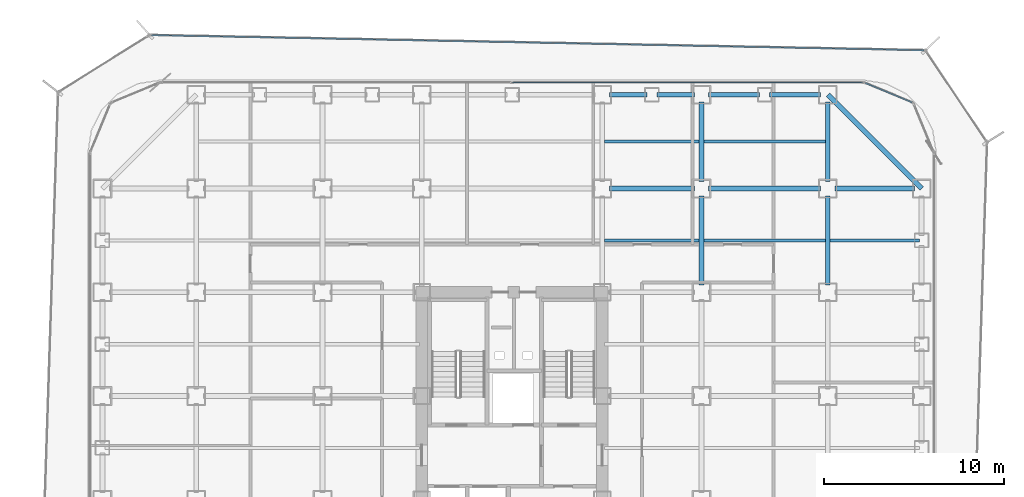
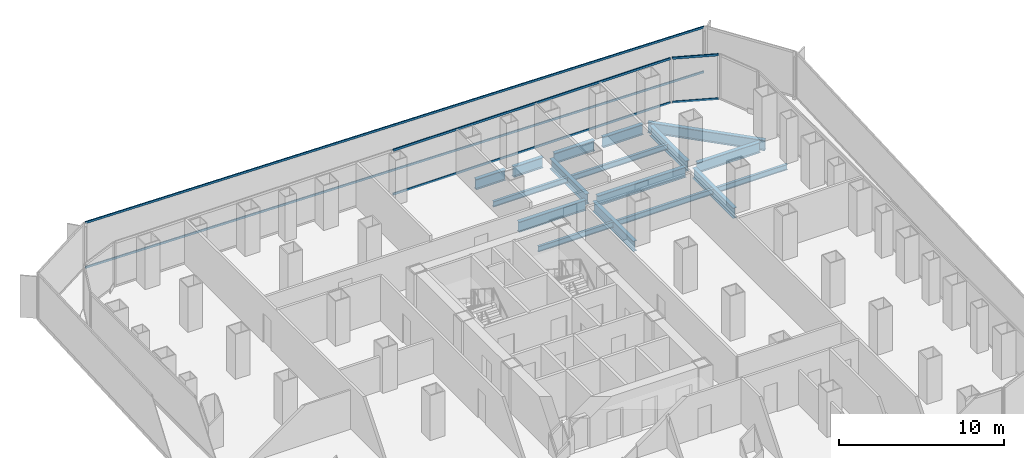
# One storey, part 14 of 22: 17 beams, 6 members, 3 elements without a shape of their own.
"""IFC4 building model written with IfcOpenShell, lengths in metres."""

from ifc_helpers import new_model, si_unit, direction, frame, origin, origin_2d, place, context, subcontext, project, spatial, hollow_rectangle, i_section, extrude, source, transform, mapped, material, layer, layer_set, material_profile, profile_set, type_object, element, aggregate, save


model = new_model("IFC4")

# Units and contexts
model_context = context("Model", 3, precision=1e-05, world=origin(), true_north=direction((0.0, 1.0)))
body_context = subcontext(model_context, "Body", "Model", "MODEL_VIEW")
ifc_project = project(units=[si_unit("LENGTHUNIT", "METRE"), si_unit("AREAUNIT", "SQUARE_METRE"), si_unit("VOLUMEUNIT", "CUBIC_METRE"), si_unit("PLANEANGLEUNIT", "RADIAN"), si_unit("MASSUNIT", "GRAM", prefix="KILO")], contexts=[model_context])

# Site, building, storey
site_placement = place(None, origin())
site = spatial("IfcSite", under=ifc_project, at=site_placement, CompositionType="ELEMENT")
building_placement = place(site_placement, origin())
building = spatial("IfcBuilding", under=site, at=building_placement, Name="Kolveth Station Tower", CompositionType="ELEMENT")
storey_placement = place(building_placement, frame((0.0, 0.0, 51.300048828125)))
storey = spatial("IfcBuildingStorey", under=building, at=storey_placement, Name="L13", CompositionType="ELEMENT", Elevation=51.300048828125)

# Beams
ifc_material_1 = material(Name="Steel S355", Category="steel")
ifc_material_profile_1 = material_profile(ifc_material_1, i_section(OverallWidth=0.26904296875, OverallDepth=0.77490234375, WebThickness=0.01708984375, FlangeThickness=0.0283203125, at=origin_2d()), Name="W760x220")
ifc_profile_set_1 = profile_set([ifc_material_profile_1], Name="Steel S355")
beam_type_1 = type_object("IfcBeamType", Name="Beam_SP1", PredefinedType="SPANDREL", material=ifc_profile_set_1)
shared_shape_1 = source(origin(), body_context, "Body", "SweptSolid", [
    extrude(i_section(OverallWidth=0.26904296875, OverallDepth=0.77490234375, WebThickness=0.01708984375, FlangeThickness=0.0283203125, at=origin_2d()), origin(), (0.0, 0.0, 1.0), 7.353759765625),
])
beam_1_placement = place(storey_placement, frame((46.199951171875, 34.5, -0.66748046875), z_axis=(-0.707106781187, 0.707106781187, 0.0), x_axis=(-0.707106781187, -0.707106781187, 0.0)))
element("IfcBeam", 1, at=beam_1_placement, inside=storey, type_object=beam_type_1, Name="L13 Corner Edge Girder BM-L13-CNR-NE", PredefinedType="SPANDREL", context=body_context, shape_type="MappedRepresentation", body=[
    mapped(shared_shape_1, transform((0.0, 0.0, 0.0), x_axis=(1.0, 0.0, 0.0), y_axis=(0.0, 1.0, 0.0), z_axis=(0.0, 0.0, 1.0), scale=1.0)),
])
shared_shape_2 = source(origin(), body_context, "Body", "SweptSolid", [
    extrude(i_section(OverallWidth=0.26904296875, OverallDepth=0.77490234375, WebThickness=0.01708984375, FlangeThickness=0.0283203125, at=origin_2d()), origin(), (0.0, 0.0, 1.0), 2.820068359375),
])
for number, where, z_axis, x_axis, name in (
    (2, (34.39990234375, 39.699951171875, -0.66748046875), (1.0, 0.0, 0.0), (0.0, 1.0, 0.0), "L13 Perimeter Spandrel BM-L13-PN-9"),
    (3, (37.780029296875, 39.699951171875, -0.66748046875), (1.0, 0.0, 0.0), (0.0, 1.0, 0.0), "L13 Perimeter Spandrel BM-L13-PN-10"),
):
    element("IfcBeam", number, at=place(storey_placement, frame(where, z_axis=z_axis, x_axis=x_axis)), inside=storey, type_object=beam_type_1, Name=name, PredefinedType="SPANDREL", context=body_context, shape_type="MappedRepresentation", body=[
        mapped(shared_shape_2, transform((0.0, 0.0, 0.0), x_axis=(1.0, 0.0, 0.0), y_axis=(0.0, 1.0, 0.0), z_axis=(0.0, 0.0, 1.0), scale=1.0)),
    ])
shared_shape_3 = source(origin(), body_context, "Body", "SweptSolid", [
    extrude(i_section(OverallWidth=0.26904296875, OverallDepth=0.77490234375, WebThickness=0.01708984375, FlangeThickness=0.0283203125, at=origin_2d()), origin(), (0.0, 0.0, 1.0), 2.070068359375),
])
for number, where, z_axis, x_axis, name in (
    (4, (28.89990234375, 39.699951171875, -0.66748046875), (1.0, 0.0, 0.0), (0.0, 1.0, 0.0), "L13 Perimeter Spandrel BM-L13-PN-7"),
    (5, (31.530029296875, 39.699951171875, -0.66748046875), (1.0, 0.0, 0.0), (0.0, 1.0, 0.0), "L13 Perimeter Spandrel BM-L13-PN-8"),
):
    element("IfcBeam", number, at=place(storey_placement, frame(where, z_axis=z_axis, x_axis=x_axis)), inside=storey, type_object=beam_type_1, Name=name, PredefinedType="SPANDREL", context=body_context, shape_type="MappedRepresentation", body=[
        mapped(shared_shape_3, transform((0.0, 0.0, 0.0), x_axis=(1.0, 0.0, 0.0), y_axis=(0.0, 1.0, 0.0), z_axis=(0.0, 0.0, 1.0), scale=1.0)),
    ])
ifc_material_profile_2 = material_profile(ifc_material_1, i_section(OverallWidth=0.26708984375, OverallDepth=0.76611328125, WebThickness=0.014892578125, FlangeThickness=0.023681640625, at=origin_2d()), Name="W760x185")
ifc_profile_set_2 = profile_set([ifc_material_profile_2], Name="Steel S355")
beam_type_2 = type_object("IfcBeamType", Name="Beam_B3", PredefinedType="BEAM", material=ifc_profile_set_2)
shared_shape_4 = source(origin(), body_context, "Body", "SweptSolid", [
    extrude(i_section(OverallWidth=0.26708984375, OverallDepth=0.76611328125, WebThickness=0.014892578125, FlangeThickness=0.023681640625, at=origin_2d()), origin(), (0.0, 0.0, 1.0), 4.400146484375),
])
for number, where, z_axis, x_axis, name in (
    (6, (41.39990234375, 34.5, -0.6630859375), (1.0, 0.0, 0.0), (0.0, 1.0, 0.0), "L13 Primary Girder BM-L13-GY345-7"),
    (7, (34.0, 34.89990234375, -0.6630859375), (0.0, 1.0, 0.0), (-1.0, 0.0, 0.0), "L13 Primary Girder BM-L13-GX340-7"),
    (8, (41.0, 34.89990234375, -0.6630859375), (0.0, 1.0, 0.0), (-1.0, 0.0, 0.0), "L13 Primary Girder BM-L13-GX410-7"),
):
    element("IfcBeam", number, at=place(storey_placement, frame(where, z_axis=z_axis, x_axis=x_axis)), inside=storey, type_object=beam_type_2, Name=name, PredefinedType="BEAM", context=body_context, shape_type="MappedRepresentation", body=[
        mapped(shared_shape_4, transform((0.0, 0.0, 0.0), x_axis=(1.0, 0.0, 0.0), y_axis=(0.0, 1.0, 0.0), z_axis=(0.0, 0.0, 1.0), scale=1.0)),
    ])
shared_shape_5 = source(origin(), body_context, "Body", "SweptSolid", [
    extrude(i_section(OverallWidth=0.26708984375, OverallDepth=0.76611328125, WebThickness=0.014892578125, FlangeThickness=0.023681640625, at=origin_2d()), origin(), (0.0, 0.0, 1.0), 6.2001953125),
])
beam_2_placement = place(storey_placement, frame((34.39990234375, 34.5, -0.6630859375), z_axis=(1.0, 0.0, 0.0), x_axis=(0.0, 1.0, 0.0)))
element("IfcBeam", 9, at=beam_2_placement, inside=storey, type_object=beam_type_2, Name="L13 Primary Girder BM-L13-GY345-6", PredefinedType="BEAM", context=body_context, shape_type="MappedRepresentation", body=[
    mapped(shared_shape_5, transform((0.0, 0.0, 0.0), x_axis=(1.0, 0.0, 0.0), y_axis=(0.0, 1.0, 0.0), z_axis=(0.0, 0.0, 1.0), scale=1.0)),
])
shared_shape_6 = source(origin(), body_context, "Body", "SweptSolid", [
    extrude(i_section(OverallWidth=0.26708984375, OverallDepth=0.76611328125, WebThickness=0.014892578125, FlangeThickness=0.023681640625, at=origin_2d()), origin(), (0.0, 0.0, 1.0), 4.7001953125),
])
beam_3_placement = place(storey_placement, frame((28.89990234375, 34.5, -0.6630859375), z_axis=(1.0, 0.0, 0.0), x_axis=(0.0, 1.0, 0.0)))
element("IfcBeam", 10, at=beam_3_placement, inside=storey, type_object=beam_type_2, Name="L13 Primary Girder BM-L13-GY345-5", PredefinedType="BEAM", context=body_context, shape_type="MappedRepresentation", body=[
    mapped(shared_shape_6, transform((0.0, 0.0, 0.0), x_axis=(1.0, 0.0, 0.0), y_axis=(0.0, 1.0, 0.0), z_axis=(0.0, 0.0, 1.0), scale=1.0)),
])
shared_shape_7 = source(origin(), body_context, "Body", "SweptSolid", [
    extrude(i_section(OverallWidth=0.26708984375, OverallDepth=0.76611328125, WebThickness=0.014892578125, FlangeThickness=0.023681640625, at=origin_2d()), origin(), (0.0, 0.0, 1.0), 4.9501953125),
])
for number, where, z_axis, x_axis, name in (
    (11, (34.0, 29.14990234375, -0.6630859375), (0.0, 1.0, 0.0), (-1.0, 0.0, 0.0), "L13 Primary Girder BM-L13-GX340-6"),
    (12, (41.0, 29.14990234375, -0.6630859375), (0.0, 1.0, 0.0), (-1.0, 0.0, 0.0), "L13 Primary Girder BM-L13-GX410-6"),
):
    element("IfcBeam", number, at=place(storey_placement, frame(where, z_axis=z_axis, x_axis=x_axis)), inside=storey, type_object=beam_type_2, Name=name, PredefinedType="BEAM", context=body_context, shape_type="MappedRepresentation", body=[
        mapped(shared_shape_7, transform((0.0, 0.0, 0.0), x_axis=(1.0, 0.0, 0.0), y_axis=(0.0, 1.0, 0.0), z_axis=(0.0, 0.0, 1.0), scale=1.0)),
    ])
ifc_material_profile_3 = material_profile(ifc_material_1, i_section(OverallWidth=0.177978515625, OverallDepth=0.406982421875, WebThickness=0.0078125, FlangeThickness=0.0126953125, at=origin_2d()), Name="W410x60")
ifc_profile_set_3 = profile_set([ifc_material_profile_3], Name="Steel S355")
beam_type_3 = type_object("IfcBeamType", Name="Beam_J1", PredefinedType="JOIST", material=ifc_profile_set_3)
shared_shape_8 = source(origin(), body_context, "Body", "SweptSolid", [
    extrude(i_section(OverallWidth=0.177978515625, OverallDepth=0.406982421875, WebThickness=0.0078125, FlangeThickness=0.0126953125, at=origin_2d()), origin(), (0.0, 0.0, 1.0), 4.935791015625),
])
beam_4_placement = place(storey_placement, frame((41.131591796875, 31.625, -0.483642578125), z_axis=(1.0, 0.0, 0.0), x_axis=(0.0, 1.0, 0.0)))
element("IfcBeam", 13, at=beam_4_placement, inside=storey, type_object=beam_type_3, Name="L13 Secondary Joist JST-L13-7-6", PredefinedType="JOIST", context=body_context, shape_type="MappedRepresentation", body=[
    mapped(shared_shape_8, transform((0.0, 0.0, 0.0), x_axis=(1.0, 0.0, 0.0), y_axis=(0.0, 1.0, 0.0), z_axis=(0.0, 0.0, 1.0), scale=1.0)),
])
shared_shape_9 = source(origin(), body_context, "Body", "SweptSolid", [
    extrude(i_section(OverallWidth=0.177978515625, OverallDepth=0.406982421875, WebThickness=0.0078125, FlangeThickness=0.0126953125, at=origin_2d()), origin(), (0.0, 0.0, 1.0), 6.73681640625),
])
for number, where, z_axis, x_axis, name in (
    (14, (34.131591796875, 31.625, -0.483642578125), (1.0, 0.0, 0.0), (0.0, 1.0, 0.0), "L13 Secondary Joist JST-L13-6-6"),
    (15, (34.131591796875, 37.10009765625, -0.483642578125), (1.0, 0.0, 0.0), (0.0, 1.0, 0.0), "L13 Secondary Joist JST-L13-6-7"),
):
    element("IfcBeam", number, at=place(storey_placement, frame(where, z_axis=z_axis, x_axis=x_axis)), inside=storey, type_object=beam_type_3, Name=name, PredefinedType="JOIST", context=body_context, shape_type="MappedRepresentation", body=[
        mapped(shared_shape_9, transform((0.0, 0.0, 0.0), x_axis=(1.0, 0.0, 0.0), y_axis=(0.0, 1.0, 0.0), z_axis=(0.0, 0.0, 1.0), scale=1.0)),
    ])
shared_shape_10 = source(origin(), body_context, "Body", "SweptSolid", [
    extrude(i_section(OverallWidth=0.177978515625, OverallDepth=0.406982421875, WebThickness=0.0078125, FlangeThickness=0.0126953125, at=origin_2d()), origin(), (0.0, 0.0, 1.0), 5.23681640625),
])
for number, where, z_axis, x_axis, name in (
    (16, (28.631591796875, 31.625, -0.483642578125), (1.0, 0.0, 0.0), (0.0, 1.0, 0.0), "L13 Secondary Joist JST-L13-5-6"),
    (17, (28.631591796875, 37.10009765625, -0.483642578125), (1.0, 0.0, 0.0), (0.0, 1.0, 0.0), "L13 Secondary Joist JST-L13-5-7"),
):
    element("IfcBeam", number, at=place(storey_placement, frame(where, z_axis=z_axis, x_axis=x_axis)), inside=storey, type_object=beam_type_3, Name=name, PredefinedType="JOIST", context=body_context, shape_type="MappedRepresentation", body=[
        mapped(shared_shape_10, transform((0.0, 0.0, 0.0), x_axis=(1.0, 0.0, 0.0), y_axis=(0.0, 1.0, 0.0), z_axis=(0.0, 0.0, 1.0), scale=1.0)),
    ])

# Curtain wall, members
ifc_material_2 = material(Name="Aluminium 6063-T6 and low-E dark glass", Category="aluminium")
ifc_layer_1 = layer(ifc_material_2, 0.179931640625)
ifc_layer_set_1 = layer_set([ifc_layer_1], Name="Aluminium 6063-T6 and low-E dark glass")
curtain_wall_type_1 = type_object("IfcCurtainWallType", Name="CurtainWall_CW-Z1", PredefinedType="NOTDEFINED", material=ifc_layer_set_1)
curtain_wall_1_placement = place(storey_placement, origin())
curtain_wall_1 = element("IfcCurtainWall", 18, at=curtain_wall_1_placement, inside=storey, type_object=curtain_wall_type_1, Name="L13 Inner Thermal Curtain Wall 5", PredefinedType="NOTDEFINED")
ifc_material_3 = material(Name="Black anodized aluminium 6063-T6", Category="aluminium")
ifc_material_profile_4 = material_profile(ifc_material_3, hollow_rectangle(XDim=0.074951171875, YDim=0.159912109375, WallThickness=0.0048828125, at=origin_2d()), Name="ALU-75x160x5")
ifc_profile_set_4 = profile_set([ifc_material_profile_4], Name="Black anodized aluminium 6063-T6")
member_type_1 = type_object("IfcMemberType", Name="Transom_TR1", PredefinedType="USERDEFINED", material=ifc_profile_set_4)
shared_shape_11 = source(origin(), body_context, "Body", "SweptSolid", [
    extrude(hollow_rectangle(XDim=0.074951171875, YDim=0.159912109375, WallThickness=0.0048828125, at=origin_2d()), origin(), (0.0, 0.0, 1.0), 2.819580078125),
])
member_1_placement = place(storey_placement, frame((45.67431640625, 39.272216796875, 0.037353515625), z_axis=(-0.923869084389, 0.382708655389, 0.0), x_axis=(-0.382708655389, -0.923869084389, 0.0)))
member_1 = element("IfcMember", 19, at=member_1_placement, type_object=member_type_1, Name="CW-Z1 transom 1.1", ObjectType="TRANSOM", PredefinedType="USERDEFINED", context=body_context, shape_type="MappedRepresentation", body=[
    mapped(shared_shape_11, transform((0.0, 0.0, 0.0), x_axis=(1.0, 0.0, 0.0), y_axis=(0.0, 1.0, 0.0), z_axis=(0.0, 0.0, 1.0), scale=1.0)),
])
member_2_placement = place(storey_placement, frame((45.67431640625, 39.272216796875, 3.282470703125), z_axis=(-0.923869084389, 0.382708655389, 0.0), x_axis=(-0.382708655389, -0.923869084389, 0.0)))
member_2 = element("IfcMember", 20, at=member_2_placement, type_object=member_type_1, Name="CW-Z1 transom 1.2", ObjectType="TRANSOM", PredefinedType="USERDEFINED", context=body_context, shape_type="MappedRepresentation", body=[
    mapped(shared_shape_11, transform((0.0, 0.0, 0.0), x_axis=(1.0, 0.0, 0.0), y_axis=(0.0, 1.0, 0.0), z_axis=(0.0, 0.0, 1.0), scale=1.0)),
])
aggregate(curtain_wall_1, [member_1, member_2])

curtain_wall_2_placement = place(storey_placement, origin())
curtain_wall_2 = element("IfcCurtainWall", 21, at=curtain_wall_2_placement, inside=storey, type_object=curtain_wall_type_1, Name="L13 Inner Thermal Curtain Wall 6", PredefinedType="NOTDEFINED")
shared_shape_12 = source(origin(), body_context, "Body", "SweptSolid", [
    extrude(hollow_rectangle(XDim=0.074951171875, YDim=0.159912109375, WallThickness=0.0048828125, at=origin_2d()), origin(), (0.0, 0.0, 1.0), 19.387451171875),
])
member_3_placement = place(storey_placement, frame((42.925048828125, 40.3798828125, 0.037353515625), z_axis=(-1.0, 0.0, 0.0), x_axis=(0.0, -1.0, 0.0)))
member_3 = element("IfcMember", 22, at=member_3_placement, type_object=member_type_1, Name="CW-Z1 transom 1.1", ObjectType="TRANSOM", PredefinedType="USERDEFINED", context=body_context, shape_type="MappedRepresentation", body=[
    mapped(shared_shape_12, transform((0.0, 0.0, 0.0), x_axis=(1.0, 0.0, 0.0), y_axis=(0.0, 1.0, 0.0), z_axis=(0.0, 0.0, 1.0), scale=1.0)),
])
member_4_placement = place(storey_placement, frame((42.925048828125, 40.3798828125, 3.282470703125), z_axis=(-1.0, 0.0, 0.0), x_axis=(0.0, -1.0, 0.0)))
member_4 = element("IfcMember", 23, at=member_4_placement, type_object=member_type_1, Name="CW-Z1 transom 1.2", ObjectType="TRANSOM", PredefinedType="USERDEFINED", context=body_context, shape_type="MappedRepresentation", body=[
    mapped(shared_shape_12, transform((0.0, 0.0, 0.0), x_axis=(1.0, 0.0, 0.0), y_axis=(0.0, 1.0, 0.0), z_axis=(0.0, 0.0, 1.0), scale=1.0)),
])
aggregate(curtain_wall_2, [member_3, member_4])

ifc_material_4 = material(Name="Black anodized aluminium 6063-T6 and dark solar glass", Category="aluminium")
ifc_layer_2 = layer(ifc_material_4, 0.159912109375)
ifc_layer_set_2 = layer_set([ifc_layer_2], Name="Black anodized aluminium 6063-T6 and dark solar glass")
curtain_wall_type_2 = type_object("IfcCurtainWallType", Name="OUTER SKIN CW-OS", PredefinedType="NOTDEFINED", material=ifc_layer_set_2)
curtain_wall_3_placement = place(storey_placement, origin())
curtain_wall_3 = element("IfcCurtainWall", 24, at=curtain_wall_3_placement, inside=storey, type_object=curtain_wall_type_2, Name="L13 Outer Ventilated Skin Curtain Wall 4", PredefinedType="NOTDEFINED")
ifc_material_profile_5 = material_profile(ifc_material_3, hollow_rectangle(XDim=0.080078125, YDim=0.14990234375, WallThickness=0.0048828125, at=origin_2d()), Name="ALU-80x150x5")
ifc_profile_set_5 = profile_set([ifc_material_profile_5], Name="Black anodized aluminium 6063-T6")
member_type_2 = type_object("IfcMemberType", Name="Transom_TR-OS", PredefinedType="USERDEFINED", material=ifc_profile_set_5)
shared_shape_13 = source(origin(), body_context, "Body", "SweptSolid", [
    extrude(hollow_rectangle(XDim=0.080078125, YDim=0.14990234375, WallThickness=0.0048828125, at=origin_2d()), origin(), (0.0, 0.0, 1.0), 42.825927734375),
])
member_5_placement = place(storey_placement, frame((46.324462890625, 42.16357421875, 0.0400390625), z_axis=(-0.999807692371, 0.019610667414, 0.0), x_axis=(-0.019610667414, -0.999807692371, 0.0)))
member_5 = element("IfcMember", 25, at=member_5_placement, type_object=member_type_2, Name="CW-OS transom 1.1", ObjectType="TRANSOM", PredefinedType="USERDEFINED", context=body_context, shape_type="MappedRepresentation", body=[
    mapped(shared_shape_13, transform((0.0, 0.0, 0.0), x_axis=(1.0, 0.0, 0.0), y_axis=(0.0, 1.0, 0.0), z_axis=(0.0, 0.0, 1.0), scale=1.0)),
])
member_6_placement = place(storey_placement, frame((46.324462890625, 42.16357421875, 3.349853515625), z_axis=(-0.999807692371, 0.019610667414, 0.0), x_axis=(-0.019610667414, -0.999807692371, 0.0)))
member_6 = element("IfcMember", 26, at=member_6_placement, type_object=member_type_2, Name="CW-OS transom 1.2", ObjectType="TRANSOM", PredefinedType="USERDEFINED", context=body_context, shape_type="MappedRepresentation", body=[
    mapped(shared_shape_13, transform((0.0, 0.0, 0.0), x_axis=(1.0, 0.0, 0.0), y_axis=(0.0, 1.0, 0.0), z_axis=(0.0, 0.0, 1.0), scale=1.0)),
])
aggregate(curtain_wall_3, [member_5, member_6])

save(model, "model.ifc")
